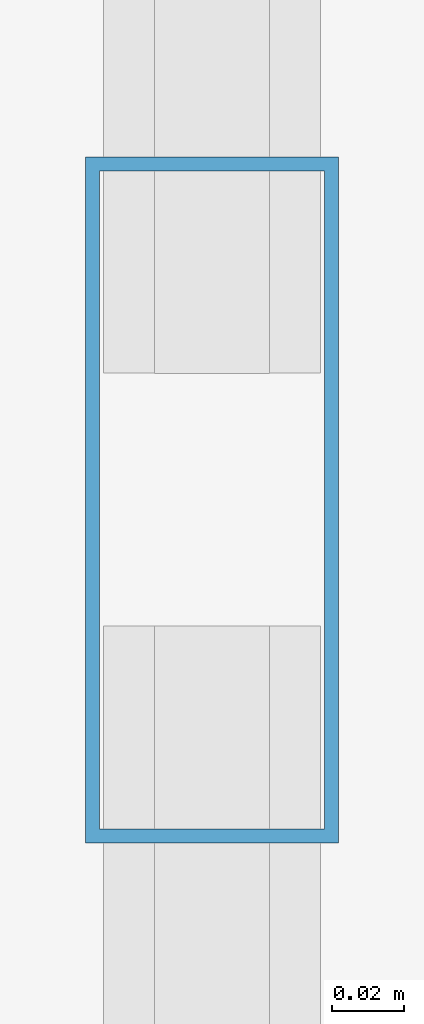
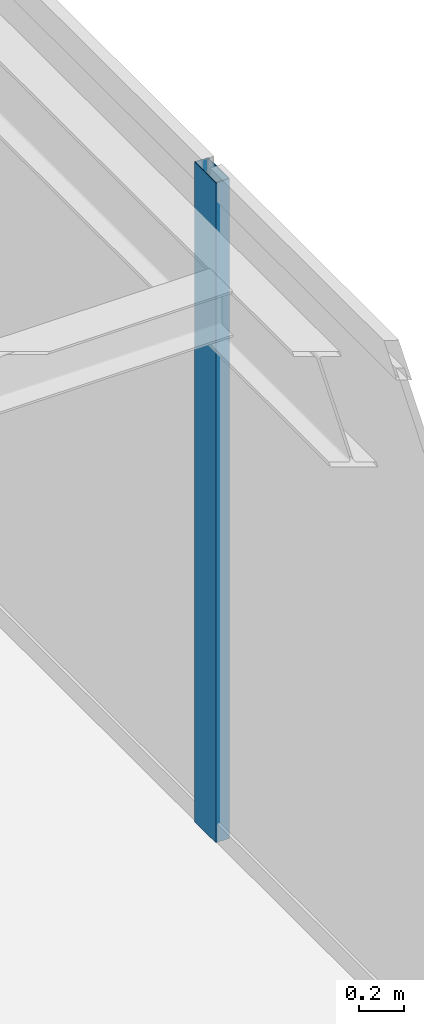
# One storey, part 20 of 34: 1 member, 1 element without a shape of its own.
"""IFC4 building model written with IfcOpenShell, lengths in metres."""

from ifc_helpers import new_model, si_unit, direction, frame, origin, origin_2d, place, context, subcontext, project, spatial, hollow_rectangle, extrude, source, transform, mapped, material, layer, layer_set, material_profile, profile_set, type_object, type_shapes, element, aggregate, save


model = new_model("IFC4")

# Units and contexts
model_context = context("Model", 3, precision=1e-05, world=origin(), true_north=direction((0.0, 1.0)))
body_context = subcontext(model_context, "Body", "Model", "MODEL_VIEW")
ifc_project = project(units=[si_unit("LENGTHUNIT", "METRE"), si_unit("AREAUNIT", "SQUARE_METRE"), si_unit("VOLUMEUNIT", "CUBIC_METRE"), si_unit("PLANEANGLEUNIT", "RADIAN"), si_unit("MASSUNIT", "GRAM", prefix="KILO")], contexts=[model_context])

# Site, building, storey
site_placement = place(None, origin())
site = spatial("IfcSite", under=ifc_project, at=site_placement, CompositionType="ELEMENT")
building_placement = place(site_placement, origin())
building = spatial("IfcBuilding", under=site, at=building_placement, Name="Varnel Quay Broadcast Tower", CompositionType="ELEMENT")
storey_placement = place(building_placement, frame((0.0, 0.0, 110.60009765625)))
storey = spatial("IfcBuildingStorey", under=building, at=storey_placement, Name="L26", CompositionType="ELEMENT", Elevation=110.60009765625)

# Curtain wall, member
ifc_material = material(Name="Anodised Bronze Aluminium 6063-T6", Category="aluminium")
ifc_layer = layer(ifc_material, 0.18994140625, Name="Anodised Bronze Aluminium 6063-T6")
ifc_layer_set = layer_set([ifc_layer], Name="Anodised Bronze Aluminium 6063-T6")
curtain_wall_type = type_object("IfcCurtainWallType", Name="CW_LowerTower", PredefinedType="NOTDEFINED", material=ifc_layer_set)
curtain_wall_placement = place(storey_placement, origin())
curtain_wall = element("IfcCurtainWall", 1, at=curtain_wall_placement, inside=storey, type_object=curtain_wall_type, Name="L26 East Unitised Curtain Wall", PredefinedType="NOTDEFINED")
ifc_material_profile = material_profile(ifc_material, hollow_rectangle(XDim=0.070068359375, YDim=0.18994140625, WallThickness=0.00390625, at=origin_2d()), Name="ALU70X190X4")
ifc_profile_set = profile_set([ifc_material_profile], Name="Anodised Bronze Aluminium 6063-T6")
member_type = type_object("IfcMemberType", Name="Mull_CWS-02", PredefinedType="MULLION", material=ifc_profile_set)
shared_shape = source(origin(), body_context, "Body", "SweptSolid", [
    extrude(hollow_rectangle(XDim=0.070068359375, YDim=0.18994140625, WallThickness=0.00390625, at=origin_2d()), origin(), (0.0, 0.0, 1.0), 3.5498046875),
])
type_shapes(member_type, [shared_shape])
member_placement = place(storey_placement, frame((63.35009765625, 31.39990234375, 0.0), z_axis=(0.0, 0.0, 1.0), x_axis=(-1.0, 0.0, 0.0)))
member = element("IfcMember", 2, at=member_placement, type_object=member_type, Name="CWS-02 mullion 3", PredefinedType="MULLION", context=body_context, shape_type="MappedRepresentation", body=[
    mapped(shared_shape, transform((0.0, 0.0, 0.0), x_axis=(1.0, 0.0, 0.0), y_axis=(0.0, 1.0, 0.0), z_axis=(0.0, 0.0, 1.0), scale=1.0)),
])
aggregate(curtain_wall, [member])

save(model, "model.ifc")
